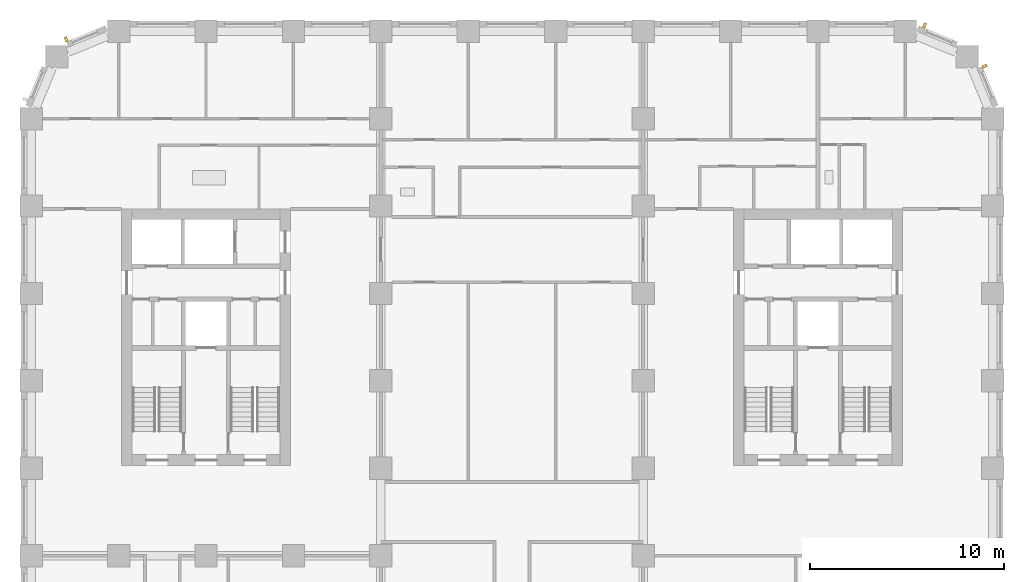
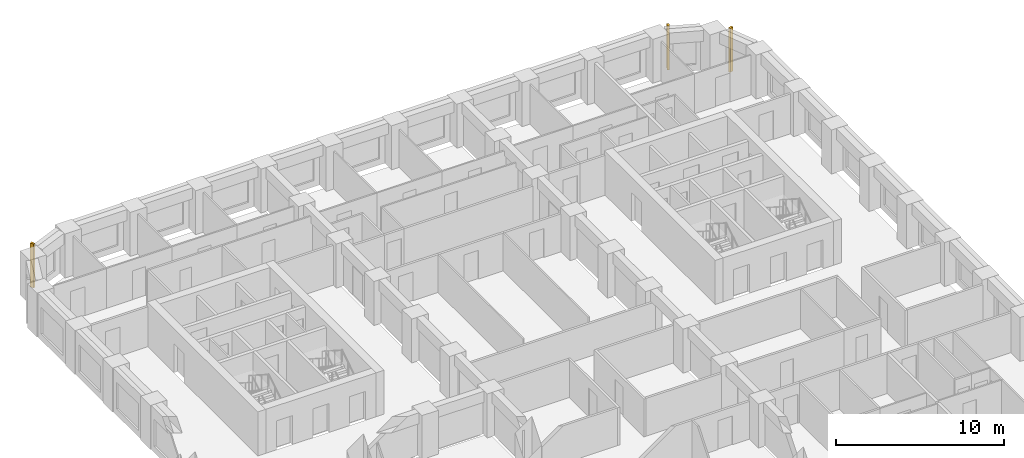
# One storey, part 12 of 13: 3 shading devices.
"""IFC4 building model written with IfcOpenShell, lengths in metres."""

from ifc_helpers import new_model, si_unit, direction, frame, origin, origin_2d, place, context, subcontext, project, spatial, rectangle, extrude, material, type_object, element, save


model = new_model("IFC4")

# Units and contexts
model_context = context("Model", 3, precision=1e-05, world=origin(), true_north=direction((0.0, 1.0)))
body_context = subcontext(model_context, "Body", "Model", "MODEL_VIEW")
ifc_project = project(units=[si_unit("LENGTHUNIT", "METRE"), si_unit("AREAUNIT", "SQUARE_METRE"), si_unit("VOLUMEUNIT", "CUBIC_METRE"), si_unit("PLANEANGLEUNIT", "RADIAN"), si_unit("MASSUNIT", "GRAM", prefix="KILO")], contexts=[model_context])

# Site, building, storey
site_placement = place(None, origin())
site = spatial("IfcSite", under=ifc_project, at=site_placement, CompositionType="ELEMENT")
building_placement = place(site_placement, origin())
building = spatial("IfcBuilding", under=site, at=building_placement, Name="Girih Gate Residences", CompositionType="ELEMENT")
storey_placement = place(building_placement, frame((0.0, 0.0, 89.60009765625)))
storey = spatial("IfcBuildingStorey", under=building, at=storey_placement, Name="L24", CompositionType="ELEMENT", Elevation=89.60009765625)

# Shading devices
ifc_material = material(Name="Precast concrete C50/60", Category="concrete")
shading_device_type = type_object("IfcShadingDeviceType", Name="Corner rib 150x250", PredefinedType="USERDEFINED", material=ifc_material)
for number, where, z_axis, x_axis, name in (
    (1, (49.087646484375, 47.6943359375, 0.0), (0.0, 0.0, 1.0), (-0.382683432365, 0.923879532511, 0.0), "Corner rib NE0495_0450.0"),
    (2, (45.985107421875, 49.79541015625, 0.0), (0.0, 0.0, 1.0), (-0.923879532511, 0.382683432365, 0.0), "Corner rib NE0482_0482.0"),
    (3, (1.8056640625, 49.087646484375, 0.0), (0.0, 0.0, 1.0), (-0.923879532511, -0.382683432365, 0.0), "Corner rib NW0045_0495.0"),
):
    element("IfcShadingDevice", number, at=place(storey_placement, frame(where, z_axis=z_axis, x_axis=x_axis)), inside=storey, type_object=shading_device_type, Name=name, ObjectType="FIN", PredefinedType="USERDEFINED", context=body_context, shape_type="SweptSolid", body=[
        extrude(rectangle(XDim=0.14990234375, YDim=0.25, at=origin_2d()), origin(), (0.0, 0.0, 1.0), 3.199951171875),
    ])

save(model, "model.ifc")
